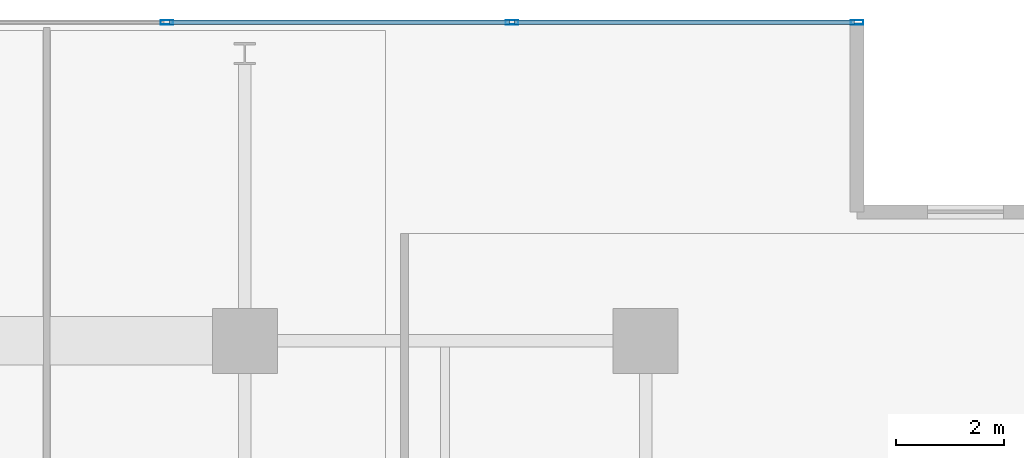
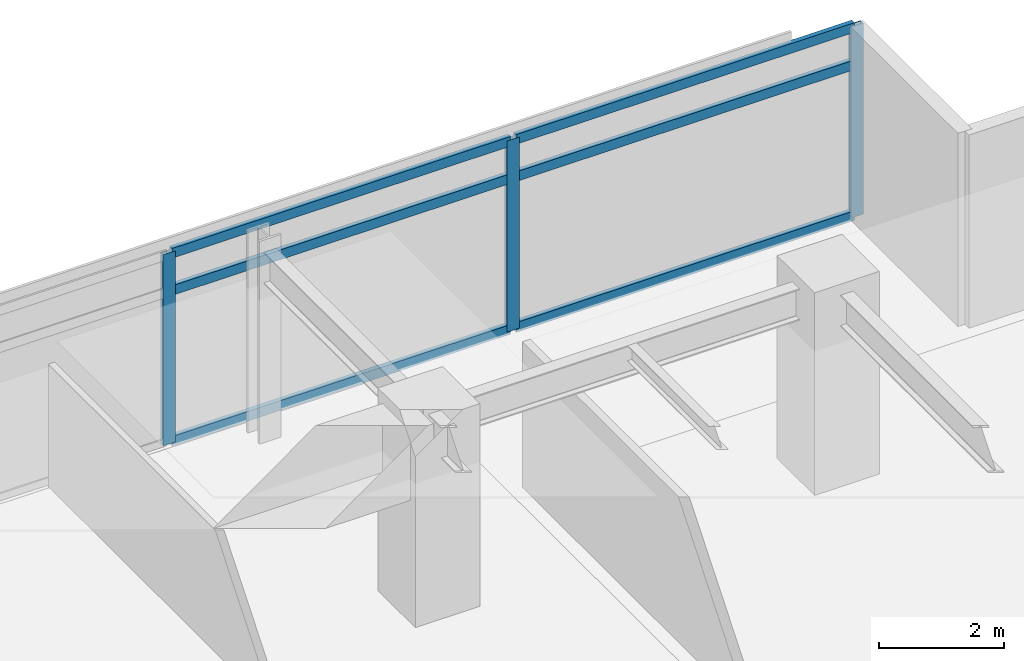
# One storey, part 12 of 21: 9 members, 1 element without a shape of its own.
"""IFC4 building model written with IfcOpenShell, lengths in metres."""

from ifc_helpers import new_model, si_unit, direction, frame, origin, origin_2d, place, context, subcontext, project, spatial, hollow_rectangle, extrude, material, material_profile, profile_set, type_object, element, aggregate, save


model = new_model("IFC4")

# Units and contexts
model_context = context("Model", 3, precision=1e-05, world=origin(), true_north=direction((0.0, 1.0)))
body_context = subcontext(model_context, "Body", "Model", "MODEL_VIEW")
ifc_project = project(units=[si_unit("LENGTHUNIT", "METRE"), si_unit("AREAUNIT", "SQUARE_METRE"), si_unit("VOLUMEUNIT", "CUBIC_METRE"), si_unit("PLANEANGLEUNIT", "RADIAN"), si_unit("MASSUNIT", "GRAM", prefix="KILO")], contexts=[model_context])

# Site, building, storey
site_placement = place(None, origin())
site = spatial("IfcSite", under=ifc_project, at=site_placement, CompositionType="ELEMENT")
building_placement = place(site_placement, origin())
building = spatial("IfcBuilding", under=site, at=building_placement, Name="Kovane Verandah Tower", CompositionType="ELEMENT")
storey_placement = place(building_placement, frame((0.0, 0.0, 263.199951171875)))
storey = spatial("IfcBuildingStorey", under=building, at=storey_placement, Name="L61", CompositionType="ELEMENT", Elevation=263.199951171875)

# Curtain wall, members
ifc_material_1 = material(Name="Champagne Anodised Aluminium Frame with Low-E Clear Laminated Glass", Category="aluminium")
curtain_wall_type = type_object("IfcCurtainWallType", Name="CW-SYS-05-HIGH", PredefinedType="NOTDEFINED", material=ifc_material_1)
curtain_wall_placement = place(storey_placement, origin())
curtain_wall = element("IfcCurtainWall", 1, at=curtain_wall_placement, inside=storey, type_object=curtain_wall_type, Name="L61 N Unitised Curtain Wall", PredefinedType="NOTDEFINED")
ifc_material_2 = material(Name="Champagne Anodised Aluminium 6063-T6", Category="aluminium")
ifc_material_profile_1 = material_profile(ifc_material_2, hollow_rectangle(XDim=0.0849609375, YDim=0.22998046875, WallThickness=0.00390625, at=origin_2d()), Name="AL85x230x4")
ifc_profile_set_1 = profile_set([ifc_material_profile_1], Name="Champagne Anodised Aluminium 6063-T6")
member_type_1 = type_object("IfcMemberType", Name="CW-MUL-85x230", PredefinedType="MULLION", material=ifc_profile_set_1)
member_1_placement = place(storey_placement, frame((62.3076171875, 50.080078125, 0.02001953125), z_axis=(0.0, 0.0, 1.0), x_axis=(0.0, 1.0, 0.0)))
member_1 = element("IfcMember", 2, at=member_1_placement, type_object=member_type_1, Name="L61 N Unitised Curtain Wall Mullion 1", PredefinedType="MULLION", context=body_context, shape_type="SweptSolid", body=[
    extrude(hollow_rectangle(XDim=0.0849609375, YDim=0.22998046875, WallThickness=0.00390625, at=origin_2d()), origin(), (0.0, 0.0, 1.0), 3.7451171875),
])
member_2_placement = place(storey_placement, frame((55.93408203125, 50.080078125, 0.02001953125), z_axis=(0.0, 0.0, 1.0), x_axis=(0.0, 1.0, 0.0)))
member_2 = element("IfcMember", 3, at=member_2_placement, type_object=member_type_1, Name="L61 N Unitised Curtain Wall Mullion 2", PredefinedType="MULLION", context=body_context, shape_type="SweptSolid", body=[
    extrude(hollow_rectangle(XDim=0.0849609375, YDim=0.22998046875, WallThickness=0.00390625, at=origin_2d()), origin(), (0.0, 0.0, 1.0), 3.7451171875),
])
member_3_placement = place(storey_placement, frame((49.560302734375, 50.080078125, 0.02001953125), z_axis=(0.0, 0.0, 1.0), x_axis=(0.0, 1.0, 0.0)))
member_3 = element("IfcMember", 4, at=member_3_placement, type_object=member_type_1, Name="L61 N Unitised Curtain Wall Mullion 3", PredefinedType="MULLION", context=body_context, shape_type="SweptSolid", body=[
    extrude(hollow_rectangle(XDim=0.0849609375, YDim=0.22998046875, WallThickness=0.00390625, at=origin_2d()), origin(), (0.0, 0.0, 1.0), 3.7451171875),
])
ifc_material_profile_2 = material_profile(ifc_material_2, hollow_rectangle(XDim=0.0849609375, YDim=0.18994140625, WallThickness=0.00390625, at=origin_2d()), Name="AL85x190x4")
ifc_profile_set_2 = profile_set([ifc_material_profile_2], Name="Champagne Anodised Aluminium 6063-T6")
member_type_2 = type_object("IfcMemberType", Name="CW-TRN-85x190", PredefinedType="USERDEFINED", material=ifc_profile_set_2)
member_4_placement = place(storey_placement, frame((62.257568359375, 50.080078125, 0.050048828125), z_axis=(-1.0, 0.0, 0.0), x_axis=(0.0, -1.0, 0.0)))
member_4 = element("IfcMember", 5, at=member_4_placement, type_object=member_type_2, Name="L61 N Unitised Curtain Wall Transom TB Bay 1", ObjectType="TRANSOM", PredefinedType="USERDEFINED", context=body_context, shape_type="SweptSolid", body=[
    extrude(hollow_rectangle(XDim=0.0849609375, YDim=0.18994140625, WallThickness=0.00390625, at=origin_2d()), origin(), (0.0, 0.0, 1.0), 6.273681640625),
])
member_5_placement = place(storey_placement, frame((62.257568359375, 50.080078125, 3.005126953125), z_axis=(-1.0, 0.0, 0.0), x_axis=(0.0, -1.0, 0.0)))
member_5 = element("IfcMember", 6, at=member_5_placement, type_object=member_type_2, Name="L61 N Unitised Curtain Wall Transom TM Bay 1", ObjectType="TRANSOM", PredefinedType="USERDEFINED", context=body_context, shape_type="SweptSolid", body=[
    extrude(hollow_rectangle(XDim=0.0849609375, YDim=0.18994140625, WallThickness=0.00390625, at=origin_2d()), origin(), (0.0, 0.0, 1.0), 6.273681640625),
])
member_6_placement = place(storey_placement, frame((62.257568359375, 50.080078125, 3.735107421875), z_axis=(-1.0, 0.0, 0.0), x_axis=(0.0, -1.0, 0.0)))
member_6 = element("IfcMember", 7, at=member_6_placement, type_object=member_type_2, Name="L61 N Unitised Curtain Wall Transom TT Bay 1", ObjectType="TRANSOM", PredefinedType="USERDEFINED", context=body_context, shape_type="SweptSolid", body=[
    extrude(hollow_rectangle(XDim=0.0849609375, YDim=0.18994140625, WallThickness=0.00390625, at=origin_2d()), origin(), (0.0, 0.0, 1.0), 6.273681640625),
])
member_7_placement = place(storey_placement, frame((55.884033203125, 50.080078125, 0.050048828125), z_axis=(-1.0, 0.0, 0.0), x_axis=(0.0, -1.0, 0.0)))
member_7 = element("IfcMember", 8, at=member_7_placement, type_object=member_type_2, Name="L61 N Unitised Curtain Wall Transom TB Bay 2", ObjectType="TRANSOM", PredefinedType="USERDEFINED", context=body_context, shape_type="SweptSolid", body=[
    extrude(hollow_rectangle(XDim=0.0849609375, YDim=0.18994140625, WallThickness=0.00390625, at=origin_2d()), origin(), (0.0, 0.0, 1.0), 6.273681640625),
])
member_8_placement = place(storey_placement, frame((55.884033203125, 50.080078125, 3.005126953125), z_axis=(-1.0, 0.0, 0.0), x_axis=(0.0, -1.0, 0.0)))
member_8 = element("IfcMember", 9, at=member_8_placement, type_object=member_type_2, Name="L61 N Unitised Curtain Wall Transom TM Bay 2", ObjectType="TRANSOM", PredefinedType="USERDEFINED", context=body_context, shape_type="SweptSolid", body=[
    extrude(hollow_rectangle(XDim=0.0849609375, YDim=0.18994140625, WallThickness=0.00390625, at=origin_2d()), origin(), (0.0, 0.0, 1.0), 6.273681640625),
])
member_9_placement = place(storey_placement, frame((55.884033203125, 50.080078125, 3.735107421875), z_axis=(-1.0, 0.0, 0.0), x_axis=(0.0, -1.0, 0.0)))
member_9 = element("IfcMember", 10, at=member_9_placement, type_object=member_type_2, Name="L61 N Unitised Curtain Wall Transom TT Bay 2", ObjectType="TRANSOM", PredefinedType="USERDEFINED", context=body_context, shape_type="SweptSolid", body=[
    extrude(hollow_rectangle(XDim=0.0849609375, YDim=0.18994140625, WallThickness=0.00390625, at=origin_2d()), origin(), (0.0, 0.0, 1.0), 6.273681640625),
])
aggregate(curtain_wall, [member_1, member_2, member_3, member_4, member_5, member_6, member_7, member_8, member_9])

save(model, "model.ifc")
